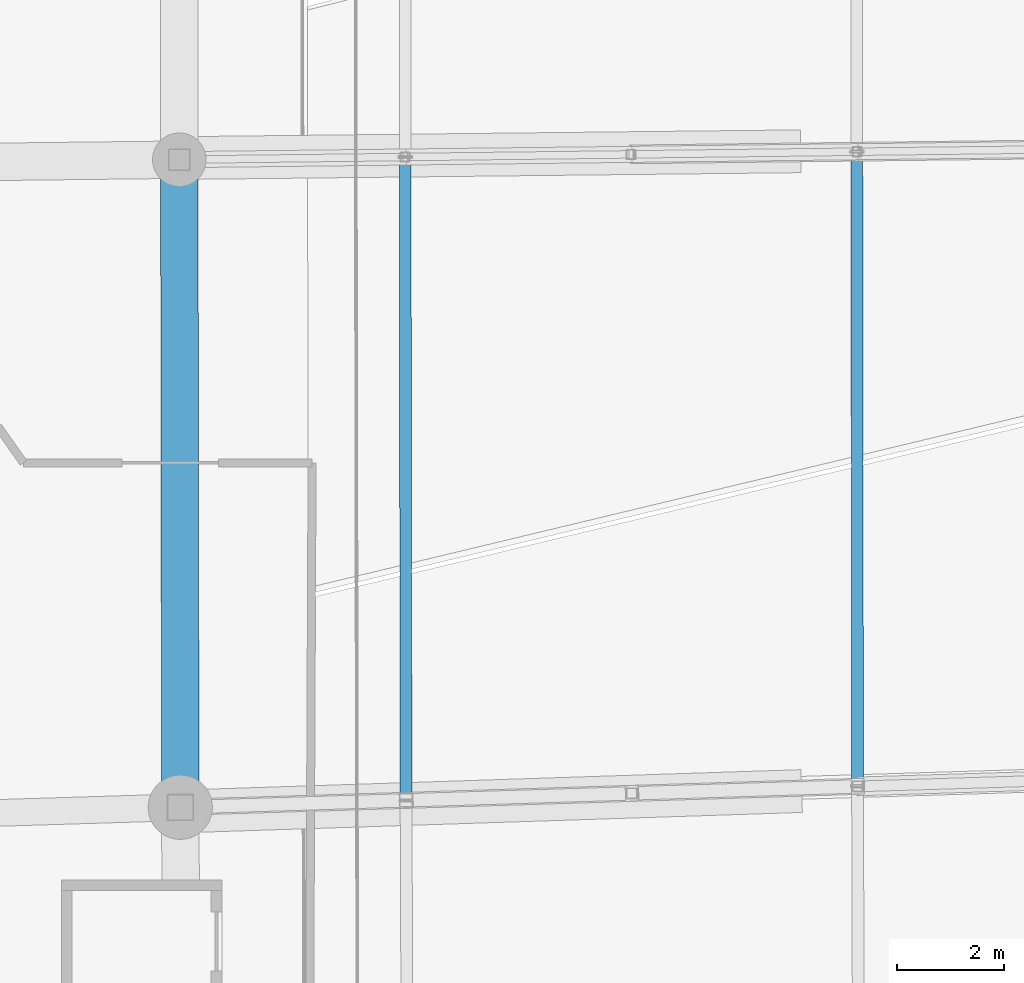
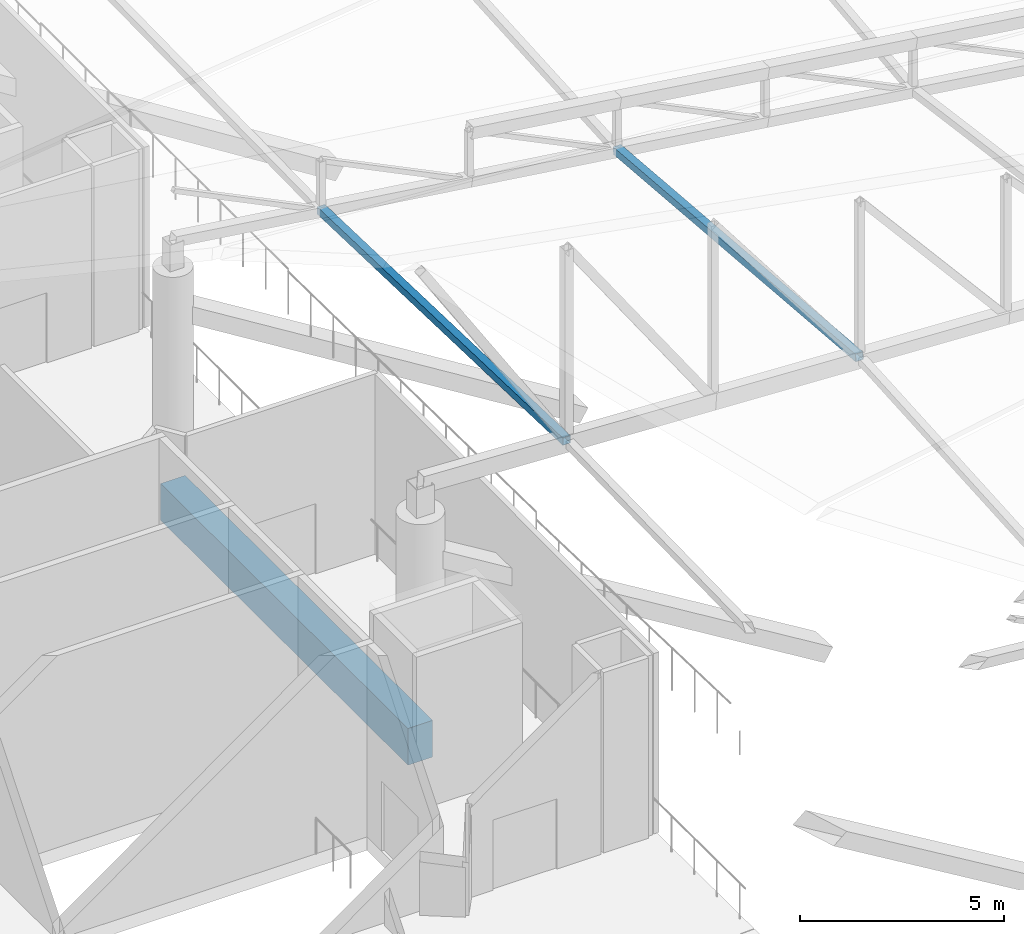
# One storey, part 53 of 344: 2 members, 1 beam.
"""IFC4 building model written with IfcOpenShell, lengths in metres."""

from ifc_helpers import new_model, si_unit, direction, frame, origin, origin_2d, place, context, subcontext, project, spatial, rectangle, hollow_rectangle, extrude, material, material_profile, profile_set, type_object, element, save


model = new_model("IFC4")

# Units and contexts
model_context = context("Model", 3, precision=1e-05, world=origin(), true_north=direction((0.0, 1.0)))
body_context = subcontext(model_context, "Body", "Model", "MODEL_VIEW")
ifc_project = project(units=[si_unit("LENGTHUNIT", "METRE"), si_unit("AREAUNIT", "SQUARE_METRE"), si_unit("VOLUMEUNIT", "CUBIC_METRE"), si_unit("PLANEANGLEUNIT", "RADIAN"), si_unit("MASSUNIT", "GRAM", prefix="KILO")], contexts=[model_context])

# Site, building, storey
site_placement = place(None, origin())
site = spatial("IfcSite", under=ifc_project, at=site_placement, CompositionType="ELEMENT")
building_placement = place(site_placement, origin())
building = spatial("IfcBuilding", under=site, at=building_placement, Name="Meseta Stadium", CompositionType="ELEMENT")
storey_placement = place(building_placement, frame((0.0, 0.0, 24.0)))
storey = spatial("IfcBuildingStorey", under=building, at=storey_placement, Name="L04", CompositionType="ELEMENT", Elevation=24.0)

# Beam
ifc_material_1 = material(Name="Concrete C40/50", Category="concrete")
ifc_material_profile_1 = material_profile(ifc_material_1, rectangle(XDim=0.699951171875, YDim=1.10009765625, at=origin_2d()), Name="RC 700x1100")
ifc_profile_set_1 = profile_set([ifc_material_profile_1], Name="Concrete C40/50")
beam_type = type_object("IfcBeamType", Name="RC beam 700x1100", PredefinedType="BEAM", material=ifc_profile_set_1)
beam_placement = place(storey_placement, frame((-84.9970703125, -6.13720703125, -0.949951171875), z_axis=(0.001532627062, -0.999998825526, 0.0), x_axis=(0.999998825526, 0.001532627062, 0.0)))
element("IfcBeam", 1, at=beam_placement, inside=storey, type_object=beam_type, Name="L04 ring beam frame 33 line P", PredefinedType="BEAM", context=body_context, shape_type="SweptSolid", body=[
    extrude(rectangle(XDim=0.699951171875, YDim=1.10009765625, at=origin_2d()), origin(), (0.0, 0.0, 1.0), 12.1064453125),
])

# Members
ifc_material_2 = material(Name="Steel S355", Category="steel")
ifc_material_profile_2 = material_profile(ifc_material_2, hollow_rectangle(XDim=0.219970703125, YDim=0.219970703125, WallThickness=0.008056640625, at=origin_2d()), Name="SHS 220x220x8")
ifc_profile_set_2 = profile_set([ifc_material_profile_2], Name="Steel S355")
member_type = type_object("IfcMemberType", Name="SHS 220x220x8 strut", PredefinedType="STRUT", material=ifc_profile_set_2)
member_1_placement = place(storey_placement, frame((-72.331298828125, -5.98828125, 4.96142578125), z_axis=(0.001107409494, -0.996627529831, 0.082050840505), x_axis=(0.999999382666, 0.001111156152, 0.0)))
element("IfcMember", 2, at=member_1_placement, inside=storey, type_object=member_type, Name="ROOF TRUSS STRUT RT-33/34", PredefinedType="STRUT", context=body_context, shape_type="SweptSolid", body=[
    extrude(hollow_rectangle(XDim=0.219970703125, YDim=0.219970703125, WallThickness=0.008056640625, at=origin_2d()), origin(), (0.0, 0.0, 1.0), 11.90478515625),
])
member_2_placement = place(storey_placement, frame((-80.775146484375, -6.087646484375, 6.187255859375), z_axis=(0.001400161268, -0.999552808136, 0.02987010706), x_axis=(0.999999018898, 0.001400786315, 0.0)))
element("IfcMember", 3, at=member_2_placement, inside=storey, type_object=member_type, Name="ROOF TRUSS STRUT RT-33/34", PredefinedType="STRUT", context=body_context, shape_type="SweptSolid", body=[
    extrude(hollow_rectangle(XDim=0.219970703125, YDim=0.219970703125, WallThickness=0.008056640625, at=origin_2d()), origin(), (0.0, 0.0, 1.0), 12.03125),
])

save(model, "model.ifc")
